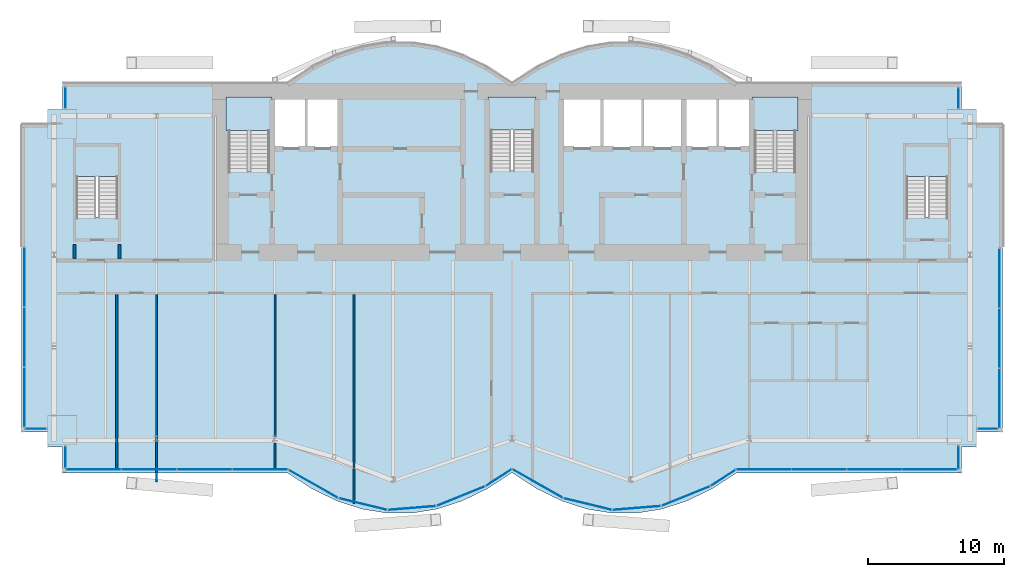
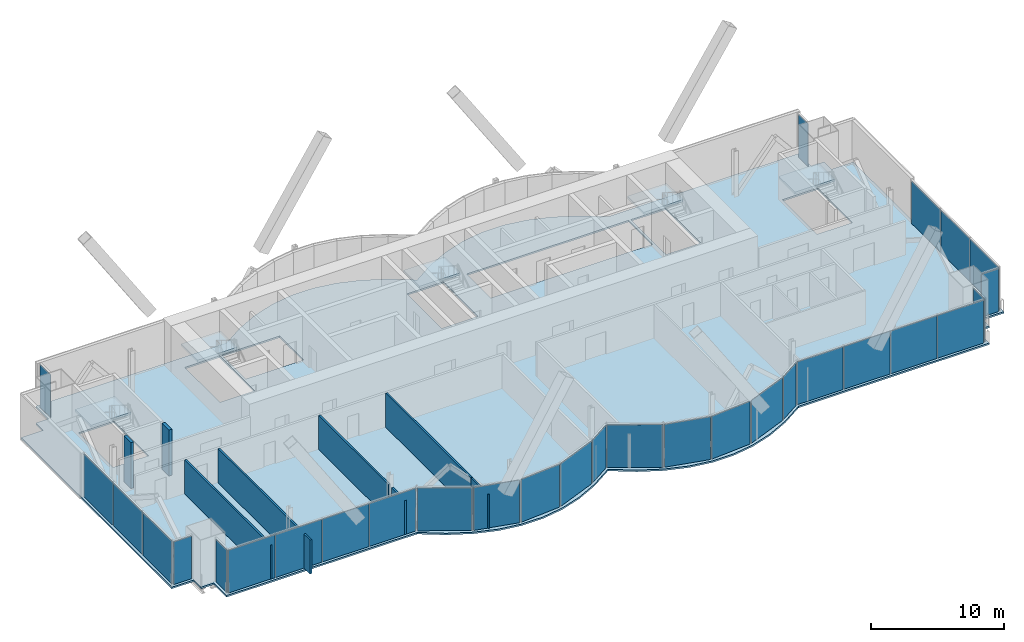
# One storey, part 12 of 19: 30 plates, 8 walls, 6 slabs, 17 elements without a shape of their own.
"""IFC4 building model written with IfcOpenShell, lengths in metres."""

from ifc_helpers import new_model, si_unit, direction, frame, frame_2d, origin, origin_2d, place, context, subcontext, project, spatial, polyline, rectangle, outline, extrude, material, layer, layer_set, type_object, element, aggregate, save


model = new_model("IFC4")

# Units and contexts
model_context = context("Model", 3, precision=1e-05, world=origin(), true_north=direction((0.0, 1.0)))
body_context = subcontext(model_context, "Body", "Model", "MODEL_VIEW")
ifc_project = project(units=[si_unit("LENGTHUNIT", "METRE"), si_unit("AREAUNIT", "SQUARE_METRE"), si_unit("VOLUMEUNIT", "CUBIC_METRE"), si_unit("PLANEANGLEUNIT", "RADIAN"), si_unit("MASSUNIT", "GRAM", prefix="KILO")], contexts=[model_context])

# Site, building, storey
site_placement = place(None, origin())
site = spatial("IfcSite", under=ifc_project, at=site_placement, CompositionType="ELEMENT")
building_placement = place(site_placement, origin())
building = spatial("IfcBuilding", under=site, at=building_placement, Name="Bicima Exchange Tower", CompositionType="ELEMENT")
storey_placement = place(building_placement, frame((0.0, 0.0, 270.800048828125)))
storey = spatial("IfcBuildingStorey", under=building, at=storey_placement, Name="L61", CompositionType="ELEMENT", Elevation=270.800048828125)

# Slab
ifc_material_1 = material(Name="Concrete C40/50", Category="concrete")
ifc_layer_1 = layer(ifc_material_1, 0.14990234375)
ifc_layer_set_1 = layer_set([ifc_layer_1], Name="Concrete C40/50")
slab_type_1 = type_object("IfcSlabType", Name="Composite floor slab 150", PredefinedType="FLOOR", material=ifc_layer_set_1)
slab_1_placement = place(storey_placement, frame((0.0, 0.0, -0.150146484375)))
element("IfcSlab", 1, at=slab_1_placement, inside=storey, type_object=slab_type_1, Name="Floor slab", PredefinedType="FLOOR", context=body_context, shape_type="SweptSolid", body=[
    extrude(outline(polyline([(-36.0, -25.580078125), (-36.0, -3.0), (-34.10009765625, -3.0), (-34.10009765625, -1.89990234375), (-33.0, -1.89990234375), (-33.0, 0.0), (-16.5, 0.0), (-14.666748046875, 1.185302734375), (-12.833251953125, 2.07421875), (-11.0, 2.666748046875), (-9.166748046875, 2.962890625), (-7.333251953125, 2.962890625), (-5.5, 2.666748046875), (-3.666748046875, 2.07421875), (-1.833251953125, 1.185302734375), (0.0, 0.0), (1.833251953125, 1.185302734375), (3.666748046875, 2.07421875), (5.5, 2.666748046875), (7.333251953125, 2.962890625), (9.166748046875, 2.962890625), (11.0, 2.666748046875), (12.833251953125, 2.07421875), (14.666748046875, 1.185302734375), (16.5, 0.0), (33.0, 0.0), (33.0, -1.89990234375), (34.10009765625, -1.89990234375), (34.10009765625, -3.0), (36.0, -3.0), (36.0, -25.580078125), (34.10009765625, -25.580078125), (34.10009765625, -26.679931640625), (33.0, -26.679931640625), (33.0, -28.580078125), (16.5, -28.580078125), (14.666748046875, -29.76513671875), (12.833251953125, -30.654052734375), (11.0, -31.24658203125), (9.166748046875, -31.54296875), (7.333251953125, -31.54296875), (5.5, -31.24658203125), (3.666748046875, -30.654052734375), (1.833251953125, -29.76513671875), (0.0, -28.580078125), (-1.833251953125, -29.76513671875), (-3.666748046875, -30.654052734375), (-5.5, -31.24658203125), (-7.333251953125, -31.54296875), (-9.166748046875, -31.54296875), (-11.0, -31.24658203125), (-12.833251953125, -30.654052734375), (-14.666748046875, -29.76513671875), (-16.5, -28.580078125), (-33.0, -28.580078125), (-33.0, -26.679931640625), (-34.10009765625, -26.679931640625), (-34.10009765625, -25.580078125), (-36.0, -25.580078125)]), holes=[polyline([(-28.925048828125, -9.824951171875), (-28.925048828125, -4.625), (-31.97509765625, -4.625), (-31.97509765625, -9.824951171875), (-28.925048828125, -9.824951171875)]), polyline([(-20.800048828125, -6.449951171875), (-17.800048828125, -6.449951171875), (-17.800048828125, -1.199951171875), (-20.800048828125, -1.199951171875), (-20.800048828125, -6.449951171875)]), polyline([(-1.574951171875, -6.39990234375), (1.574951171875, -6.39990234375), (1.574951171875, -1.199951171875), (-1.574951171875, -1.199951171875), (-1.574951171875, -6.39990234375)]), polyline([(-12.60009765625, -1.199951171875), (-15.10009765625, -1.199951171875), (-17.60009765625, -1.199951171875), (-17.60009765625, -4.800048828125), (-15.10009765625, -4.800048828125), (-12.60009765625, -4.800048828125), (-12.60009765625, -1.199951171875)]), polyline([(3.60009765625, -4.800048828125), (6.60009765625, -4.800048828125), (9.60009765625, -4.800048828125), (12.60009765625, -4.800048828125), (15.10009765625, -4.800048828125), (17.60009765625, -4.800048828125), (17.60009765625, -1.199951171875), (15.10009765625, -1.199951171875), (12.60009765625, -1.199951171875), (9.60009765625, -1.199951171875), (6.60009765625, -1.199951171875), (3.60009765625, -1.199951171875), (3.60009765625, -4.800048828125)]), polyline([(31.97509765625, -9.824951171875), (31.97509765625, -4.625), (28.925048828125, -4.625), (28.925048828125, -9.824951171875), (31.97509765625, -9.824951171875)]), polyline([(17.800048828125, -6.449951171875), (20.800048828125, -6.449951171875), (20.800048828125, -1.199951171875), (17.800048828125, -1.199951171875), (17.800048828125, -6.449951171875)])]), origin(), (0.0, 0.0, 1.0), 0.150146484375),
])

# Curtain wall, plate
ifc_material_2 = material(Name="Anodised bronze aluminium", Category="aluminium")
curtain_wall_type_1 = type_object("IfcCurtainWallType", Name="End face glass wall", PredefinedType="NOTDEFINED", material=ifc_material_2)
curtain_wall_1_placement = place(storey_placement, origin())
curtain_wall_1 = element("IfcCurtainWall", 2, at=curtain_wall_1_placement, inside=storey, type_object=curtain_wall_type_1, Name="End face glass wall L61 run 2", PredefinedType="NOTDEFINED")
ifc_material_3 = material(Name="Bronze tinted glass", Category="glass")
ifc_layer_2 = layer(ifc_material_3, 0.031982421875)
ifc_layer_set_2 = layer_set([ifc_layer_2], Name="Bronze tinted glass")
plate_type_1 = type_object("IfcPlateType", Name="End face glass wall glass panel 32", PredefinedType="CURTAIN_PANEL", material=ifc_layer_set_2)
plate_1_placement = place(storey_placement, frame((-35.77001953125, -23.038330078125, 0.0), z_axis=(0.0, 0.0, 1.0), x_axis=(0.0, -1.0, 0.0)))
plate_1 = element("IfcPlate", 3, at=plate_1_placement, type_object=plate_type_1, Name="End face glass wall panel 3.1", PredefinedType="CURTAIN_PANEL", context=body_context, shape_type="SweptSolid", body=[
    extrude(rectangle(XDim=4.34326171875, YDim=0.031982421875, at=origin_2d()), origin(), (0.0, 0.0, 1.0), 3.909912109375),
])

curtain_wall_2_placement = place(storey_placement, origin())
curtain_wall_2 = element("IfcCurtainWall", 4, at=curtain_wall_2_placement, inside=storey, type_object=curtain_wall_type_1, Name="End face glass wall L61 run 19", PredefinedType="NOTDEFINED")
plate_2_placement = place(storey_placement, frame((35.77001953125, -23.118408203125, 0.0), z_axis=(0.0, 0.0, 1.0), x_axis=(0.0, 1.0, 0.0)))
plate_2 = element("IfcPlate", 5, at=plate_2_placement, type_object=plate_type_1, Name="End face glass wall panel 1.1", PredefinedType="CURTAIN_PANEL", context=body_context, shape_type="SweptSolid", body=[
    extrude(rectangle(XDim=4.34326171875, YDim=0.031982421875, at=origin_2d()), origin(), (0.0, 0.0, 1.0), 3.909912109375),
])

# Plate
ifc_material_4 = material(Name="Bronze anodised aluminium", Category="aluminium")
ifc_layer_3 = layer(ifc_material_4, 0.031982421875)
ifc_layer_set_3 = layer_set([ifc_layer_3], Name="Bronze anodised aluminium")
plate_type_2 = type_object("IfcPlateType", Name="End face glass wall spandrel panel 32", PredefinedType="CURTAIN_PANEL", material=ifc_layer_set_3)
plate_3_placement = place(storey_placement, frame((-35.77001953125, -14.231689453125, 0.0), z_axis=(0.0, 0.0, 1.0), x_axis=(0.0, -1.0, 0.0)))
plate_3 = element("IfcPlate", 6, at=plate_3_placement, type_object=plate_type_2, Name="End face spandrel wall panel 1.1", PredefinedType="CURTAIN_PANEL", context=body_context, shape_type="SweptSolid", body=[
    extrude(rectangle(XDim=4.34326171875, YDim=0.031982421875, at=origin_2d()), origin(), (0.0, 0.0, 1.0), 3.909912109375),
])

plate_4_placement = place(storey_placement, frame((-35.77001953125, -18.635009765625, 0.0), z_axis=(0.0, 0.0, 1.0), x_axis=(0.0, -1.0, 0.0)))
plate_4 = element("IfcPlate", 7, at=plate_4_placement, type_object=plate_type_2, Name="End face spandrel wall panel 2.1", PredefinedType="CURTAIN_PANEL", context=body_context, shape_type="SweptSolid", body=[
    extrude(rectangle(XDim=4.34326171875, YDim=0.031982421875, at=origin_2d()), origin(), (0.0, 0.0, 1.0), 3.909912109375),
])

aggregate(curtain_wall_1, [plate_3, plate_4, plate_1])

plate_5_placement = place(storey_placement, frame((35.77001953125, -18.715087890625, 0.0), z_axis=(0.0, 0.0, 1.0), x_axis=(0.0, 1.0, 0.0)))
plate_5 = element("IfcPlate", 8, at=plate_5_placement, type_object=plate_type_2, Name="End face spandrel wall panel 2.1", PredefinedType="CURTAIN_PANEL", context=body_context, shape_type="SweptSolid", body=[
    extrude(rectangle(XDim=4.34326171875, YDim=0.031982421875, at=origin_2d()), origin(), (0.0, 0.0, 1.0), 3.909912109375),
])

plate_6_placement = place(storey_placement, frame((35.77001953125, -14.311767578125, 0.0), z_axis=(0.0, 0.0, 1.0), x_axis=(0.0, 1.0, 0.0)))
plate_6 = element("IfcPlate", 9, at=plate_6_placement, type_object=plate_type_2, Name="End face spandrel wall panel 3.1", PredefinedType="CURTAIN_PANEL", context=body_context, shape_type="SweptSolid", body=[
    extrude(rectangle(XDim=4.34326171875, YDim=0.031982421875, at=origin_2d()), origin(), (0.0, 0.0, 1.0), 3.909912109375),
])

aggregate(curtain_wall_2, [plate_2, plate_5, plate_6])

# Curtain wall, plate
curtain_wall_type_2 = type_object("IfcCurtainWallType", Name="Front glass wall", PredefinedType="NOTDEFINED", material=ifc_material_2)
curtain_wall_3_placement = place(storey_placement, origin())
curtain_wall_3 = element("IfcCurtainWall", 10, at=curtain_wall_3_placement, inside=storey, type_object=curtain_wall_type_2, Name="Front glass wall L61 run 1", PredefinedType="NOTDEFINED")
ifc_layer_4 = layer(ifc_material_3, 0.031982421875)
ifc_layer_set_4 = layer_set([ifc_layer_4], Name="Bronze tinted glass")
plate_type_3 = type_object("IfcPlateType", Name="Front glass wall glass panel 32", PredefinedType="CURTAIN_PANEL", material=ifc_layer_set_4)
plate_7_placement = place(storey_placement, frame((-32.77001953125, -1.06494140625, 0.0), z_axis=(0.0, 0.0, 1.0), x_axis=(0.0, -1.0, 0.0)))
plate_7 = element("IfcPlate", 11, at=plate_7_placement, type_object=plate_type_3, Name="Front glass wall panel 1.1", PredefinedType="CURTAIN_PANEL", context=body_context, shape_type="SweptSolid", body=[
    extrude(rectangle(XDim=1.550048828125, YDim=0.031982421875, at=origin_2d()), origin(), (0.0, 0.0, 1.0), 3.909912109375),
])
aggregate(curtain_wall_3, [plate_7])

curtain_wall_4_placement = place(storey_placement, origin())
curtain_wall_4 = element("IfcCurtainWall", 12, at=curtain_wall_4_placement, inside=storey, type_object=curtain_wall_type_2, Name="Front glass wall L61 run 3", PredefinedType="NOTDEFINED")
plate_8_placement = place(storey_placement, frame((-34.93505859375, -25.35009765625, 0.0), z_axis=(0.0, 0.0, 1.0), x_axis=(1.0, 0.0, 0.0)))
plate_8 = element("IfcPlate", 13, at=plate_8_placement, type_object=plate_type_3, Name="Front glass wall panel 1.1", PredefinedType="CURTAIN_PANEL", context=body_context, shape_type="SweptSolid", body=[
    extrude(rectangle(XDim=1.550048828125, YDim=0.031982421875, at=origin_2d()), origin(), (0.0, 0.0, 1.0), 3.909912109375),
])
aggregate(curtain_wall_4, [plate_8])

curtain_wall_5_placement = place(storey_placement, origin())
curtain_wall_5 = element("IfcCurtainWall", 14, at=curtain_wall_5_placement, inside=storey, type_object=curtain_wall_type_2, Name="Front glass wall L61 run 4", PredefinedType="NOTDEFINED")
plate_9_placement = place(storey_placement, frame((-32.77001953125, -27.4140625, 0.0), z_axis=(0.0, 0.0, 1.0), x_axis=(0.0, -1.0, 0.0)))
plate_9 = element("IfcPlate", 15, at=plate_9_placement, type_object=plate_type_3, Name="Front glass wall panel 1.1", PredefinedType="CURTAIN_PANEL", context=body_context, shape_type="SweptSolid", body=[
    extrude(rectangle(XDim=1.592041015625, YDim=0.031982421875, at=origin_2d()), origin(), (0.0, 0.0, 1.0), 3.909912109375),
])
aggregate(curtain_wall_5, [plate_9])

# Curtain wall, plates
curtain_wall_6_placement = place(storey_placement, origin())
curtain_wall_6 = element("IfcCurtainWall", 16, at=curtain_wall_6_placement, inside=storey, type_object=curtain_wall_type_2, Name="Front glass wall L61 run 5", PredefinedType="NOTDEFINED")
plate_10_placement = place(storey_placement, frame((-30.705322265625, -28.35009765625, 0.0), z_axis=(0.0, 0.0, 1.0), x_axis=(1.0, 0.0, 0.0)))
plate_10 = element("IfcPlate", 17, at=plate_10_placement, type_object=plate_type_3, Name="Front glass wall panel 1.1", PredefinedType="CURTAIN_PANEL", context=body_context, shape_type="SweptSolid", body=[
    extrude(rectangle(XDim=4.009521484375, YDim=0.031982421875, at=origin_2d()), origin(), (0.0, 0.0, 1.0), 3.909912109375),
])
plate_11_placement = place(storey_placement, frame((-26.6357421875, -28.35009765625, 0.0), z_axis=(0.0, 0.0, 1.0), x_axis=(1.0, 0.0, 0.0)))
plate_11 = element("IfcPlate", 18, at=plate_11_placement, type_object=plate_type_3, Name="Front glass wall panel 2.1", PredefinedType="CURTAIN_PANEL", context=body_context, shape_type="SweptSolid", body=[
    extrude(rectangle(XDim=4.009521484375, YDim=0.031982421875, at=origin_2d()), origin(), (0.0, 0.0, 1.0), 3.909912109375),
])
plate_12_placement = place(storey_placement, frame((-18.496826171875, -28.35009765625, 0.0), z_axis=(0.0, 0.0, 1.0), x_axis=(1.0, 0.0, 0.0)))
plate_12 = element("IfcPlate", 19, at=plate_12_placement, type_object=plate_type_3, Name="Front glass wall panel 4.1", PredefinedType="CURTAIN_PANEL", context=body_context, shape_type="SweptSolid", body=[
    extrude(rectangle(XDim=4.009521484375, YDim=0.031982421875, at=origin_2d()), origin(), (0.0, 0.0, 1.0), 3.909912109375),
])

curtain_wall_7_placement = place(storey_placement, origin())
curtain_wall_7 = element("IfcCurtainWall", 20, at=curtain_wall_7_placement, inside=storey, type_object=curtain_wall_type_2, Name="Front glass wall L61 run 6", PredefinedType="NOTDEFINED")
plate_13_placement = place(storey_placement, frame((-7.35107421875, -31.167724609375, 0.0), z_axis=(0.0, 0.0, 1.0), x_axis=(0.99674744821, 0.080588612633, 0.0)))
plate_13 = element("IfcPlate", 21, at=plate_13_placement, type_object=plate_type_3, Name="Front glass wall panel 1.1", PredefinedType="CURTAIN_PANEL", context=body_context, shape_type="SweptSolid", body=[
    extrude(rectangle(XDim=3.486083984375, YDim=0.031982421875, at=origin_2d()), origin(), (0.0, 0.0, 1.0), 3.909912109375),
])
plate_14_placement = place(storey_placement, frame((-3.750244140625, -30.29345703125, 0.0), z_axis=(0.0, 0.0, 1.0), x_axis=(0.92714396679, 0.374705304, 0.0)))
plate_14 = element("IfcPlate", 22, at=plate_14_placement, type_object=plate_type_3, Name="Front glass wall panel 1.1", PredefinedType="CURTAIN_PANEL", context=body_context, shape_type="SweptSolid", body=[
    extrude(rectangle(XDim=3.771240234375, YDim=0.031982421875, at=origin_2d()), origin(), (0.0, 0.0, 1.0), 3.909912109375),
])
plate_15_placement = place(storey_placement, frame((-0.97314453125, -28.935302734375, 0.0), z_axis=(0.0, 0.0, 1.0), x_axis=(0.839798994301, 0.542897457326, 0.0)))
plate_15 = element("IfcPlate", 23, at=plate_15_placement, type_object=plate_type_3, Name="Front glass wall panel 1.1", PredefinedType="CURTAIN_PANEL", context=body_context, shape_type="SweptSolid", body=[
    extrude(rectangle(XDim=2.197509765625, YDim=0.031982421875, at=origin_2d()), origin(), (0.0, 0.0, 1.0), 3.909912109375),
])

curtain_wall_8_placement = place(storey_placement, origin())
curtain_wall_8 = element("IfcCurtainWall", 24, at=curtain_wall_8_placement, inside=storey, type_object=curtain_wall_type_2, Name="Front glass wall L61 run 11", PredefinedType="NOTDEFINED")
plate_16_placement = place(storey_placement, frame((1.876220703125, -29.373291015625, 0.0), z_axis=(0.0, 0.0, 1.0), x_axis=(0.869274147378, -0.494330311331, 0.0)))
plate_16 = element("IfcPlate", 25, at=plate_16_placement, type_object=plate_type_3, Name="Front glass wall panel 1.1", PredefinedType="CURTAIN_PANEL", context=body_context, shape_type="SweptSolid", body=[
    extrude(rectangle(XDim=4.197021484375, YDim=0.031982421875, at=origin_2d()), origin(), (0.0, 0.0, 1.0), 3.909912109375),
])
plate_17_placement = place(storey_placement, frame((5.55224609375, -30.876708984375, 0.0), z_axis=(0.0, 0.0, 1.0), x_axis=(0.971830343553, -0.235681529503, 0.0)))
plate_17 = element("IfcPlate", 26, at=plate_17_placement, type_object=plate_type_3, Name="Front glass wall panel 1.1", PredefinedType="CURTAIN_PANEL", context=body_context, shape_type="SweptSolid", body=[
    extrude(rectangle(XDim=3.583251953125, YDim=0.031982421875, at=origin_2d()), origin(), (0.0, 0.0, 1.0), 3.909912109375),
])
plate_18_placement = place(storey_placement, frame((9.14892578125, -31.167724609375, 0.0), z_axis=(0.0, 0.0, 1.0), x_axis=(0.99674744821, 0.080588612633, 0.0)))
plate_18 = element("IfcPlate", 27, at=plate_18_placement, type_object=plate_type_3, Name="Front glass wall panel 1.1", PredefinedType="CURTAIN_PANEL", context=body_context, shape_type="SweptSolid", body=[
    extrude(rectangle(XDim=3.486083984375, YDim=0.031982421875, at=origin_2d()), origin(), (0.0, 0.0, 1.0), 3.909912109375),
])
plate_19_placement = place(storey_placement, frame((15.492919921875, -28.957275390625, 0.0), z_axis=(0.0, 0.0, 1.0), x_axis=(0.839791413941, 0.542909183079, 0.0)))
plate_19 = element("IfcPlate", 28, at=plate_19_placement, type_object=plate_type_3, Name="Front glass wall panel 1.1", PredefinedType="CURTAIN_PANEL", context=body_context, shape_type="SweptSolid", body=[
    extrude(rectangle(XDim=2.11669921875, YDim=0.031982421875, at=origin_2d()), origin(), (0.0, 0.0, 1.0), 3.909912109375),
])

curtain_wall_9_placement = place(storey_placement, origin())
curtain_wall_9 = element("IfcCurtainWall", 29, at=curtain_wall_9_placement, inside=storey, type_object=curtain_wall_type_2, Name="Front glass wall L61 run 16", PredefinedType="NOTDEFINED")
plate_20_placement = place(storey_placement, frame((18.48681640625, -28.35009765625, 0.0), z_axis=(0.0, 0.0, 1.0), x_axis=(1.0, 0.0, 0.0)))
plate_20 = element("IfcPlate", 30, at=plate_20_placement, type_object=plate_type_3, Name="Front glass wall panel 1.1", PredefinedType="CURTAIN_PANEL", context=body_context, shape_type="SweptSolid", body=[
    extrude(rectangle(XDim=3.989501953125, YDim=0.031982421875, at=origin_2d()), origin(), (0.0, 0.0, 1.0), 3.909912109375),
])
plate_21_placement = place(storey_placement, frame((26.585693359375, -28.35009765625, 0.0), z_axis=(0.0, 0.0, 1.0), x_axis=(1.0, 0.0, 0.0)))
plate_21 = element("IfcPlate", 31, at=plate_21_placement, type_object=plate_type_3, Name="Front glass wall panel 3.1", PredefinedType="CURTAIN_PANEL", context=body_context, shape_type="SweptSolid", body=[
    extrude(rectangle(XDim=3.989501953125, YDim=0.031982421875, at=origin_2d()), origin(), (0.0, 0.0, 1.0), 3.909912109375),
])
plate_22_placement = place(storey_placement, frame((30.63525390625, -28.35009765625, 0.0), z_axis=(0.0, 0.0, 1.0), x_axis=(1.0, 0.0, 0.0)))
plate_22 = element("IfcPlate", 32, at=plate_22_placement, type_object=plate_type_3, Name="Front glass wall panel 4.1", PredefinedType="CURTAIN_PANEL", context=body_context, shape_type="SweptSolid", body=[
    extrude(rectangle(XDim=3.989501953125, YDim=0.031982421875, at=origin_2d()), origin(), (0.0, 0.0, 1.0), 3.909912109375),
])

# Curtain wall, plate
curtain_wall_10_placement = place(storey_placement, origin())
curtain_wall_10 = element("IfcCurtainWall", 33, at=curtain_wall_10_placement, inside=storey, type_object=curtain_wall_type_2, Name="Front glass wall L61 run 17", PredefinedType="NOTDEFINED")
plate_23_placement = place(storey_placement, frame((32.77001953125, -27.4541015625, 0.0), z_axis=(0.0, 0.0, 1.0), x_axis=(0.0, 1.0, 0.0)))
plate_23 = element("IfcPlate", 34, at=plate_23_placement, type_object=plate_type_3, Name="Front glass wall panel 1.1", PredefinedType="CURTAIN_PANEL", context=body_context, shape_type="SweptSolid", body=[
    extrude(rectangle(XDim=1.672119140625, YDim=0.031982421875, at=origin_2d()), origin(), (0.0, 0.0, 1.0), 3.909912109375),
])
aggregate(curtain_wall_10, [plate_23])

curtain_wall_11_placement = place(storey_placement, origin())
curtain_wall_11 = element("IfcCurtainWall", 35, at=curtain_wall_11_placement, inside=storey, type_object=curtain_wall_type_2, Name="Front glass wall L61 run 18", PredefinedType="NOTDEFINED")
plate_24_placement = place(storey_placement, frame((34.89501953125, -25.35009765625, 0.0), z_axis=(0.0, 0.0, 1.0), x_axis=(1.0, 0.0, 0.0)))
plate_24 = element("IfcPlate", 36, at=plate_24_placement, type_object=plate_type_3, Name="Front glass wall panel 1.1", PredefinedType="CURTAIN_PANEL", context=body_context, shape_type="SweptSolid", body=[
    extrude(rectangle(XDim=1.469970703125, YDim=0.031982421875, at=origin_2d()), origin(), (0.0, 0.0, 1.0), 3.909912109375),
])
aggregate(curtain_wall_11, [plate_24])

curtain_wall_12_placement = place(storey_placement, origin())
curtain_wall_12 = element("IfcCurtainWall", 37, at=curtain_wall_12_placement, inside=storey, type_object=curtain_wall_type_2, Name="Front glass wall L61 run 20", PredefinedType="NOTDEFINED")
plate_25_placement = place(storey_placement, frame((32.77001953125, -1.10498046875, 0.0), z_axis=(0.0, 0.0, 1.0), x_axis=(0.0, 1.0, 0.0)))
plate_25 = element("IfcPlate", 38, at=plate_25_placement, type_object=plate_type_3, Name="Front glass wall panel 1.1", PredefinedType="CURTAIN_PANEL", context=body_context, shape_type="SweptSolid", body=[
    extrude(rectangle(XDim=1.469970703125, YDim=0.031982421875, at=origin_2d()), origin(), (0.0, 0.0, 1.0), 3.909912109375),
])
aggregate(curtain_wall_12, [plate_25])

# Plate
ifc_layer_5 = layer(ifc_material_4, 0.031982421875)
ifc_layer_set_5 = layer_set([ifc_layer_5], Name="Bronze anodised aluminium")
plate_type_4 = type_object("IfcPlateType", Name="Front glass wall spandrel panel 32", PredefinedType="CURTAIN_PANEL", material=ifc_layer_set_5)
plate_26_placement = place(storey_placement, frame((-22.56640625, -28.35009765625, 0.0), z_axis=(0.0, 0.0, 1.0), x_axis=(1.0, 0.0, 0.0)))
plate_26 = element("IfcPlate", 39, at=plate_26_placement, type_object=plate_type_4, Name="Front spandrel wall panel 3.1", PredefinedType="CURTAIN_PANEL", context=body_context, shape_type="SweptSolid", body=[
    extrude(rectangle(XDim=4.009521484375, YDim=0.031982421875, at=origin_2d()), origin(), (0.0, 0.0, 1.0), 3.909912109375),
])

aggregate(curtain_wall_6, [plate_10, plate_11, plate_26, plate_12])

plate_27_placement = place(storey_placement, frame((-14.589599609375, -29.39501953125, 0.0), z_axis=(0.0, 0.0, 1.0), x_axis=(0.869805110681, -0.493395449343, 0.0)))
plate_27 = element("IfcPlate", 40, at=plate_27_placement, type_object=plate_type_4, Name="Front spandrel wall panel 1.1", PredefinedType="CURTAIN_PANEL", context=body_context, shape_type="SweptSolid", body=[
    extrude(rectangle(XDim=4.1162109375, YDim=0.031982421875, at=origin_2d()), origin(), (0.0, 0.0, 1.0), 3.909912109375),
])

plate_28_placement = place(storey_placement, frame((-10.94775390625, -30.876708984375, 0.0), z_axis=(0.0, 0.0, 1.0), x_axis=(0.971830343553, -0.235681529503, 0.0)))
plate_28 = element("IfcPlate", 41, at=plate_28_placement, type_object=plate_type_4, Name="Front spandrel wall panel 1.1", PredefinedType="CURTAIN_PANEL", context=body_context, shape_type="SweptSolid", body=[
    extrude(rectangle(XDim=3.583251953125, YDim=0.031982421875, at=origin_2d()), origin(), (0.0, 0.0, 1.0), 3.909912109375),
])

aggregate(curtain_wall_7, [plate_27, plate_28, plate_13, plate_14, plate_15])

plate_29_placement = place(storey_placement, frame((12.749755859375, -30.29345703125, 0.0), z_axis=(0.0, 0.0, 1.0), x_axis=(0.92714396679, 0.374705304, 0.0)))
plate_29 = element("IfcPlate", 42, at=plate_29_placement, type_object=plate_type_4, Name="Front spandrel wall panel 1.1", PredefinedType="CURTAIN_PANEL", context=body_context, shape_type="SweptSolid", body=[
    extrude(rectangle(XDim=3.771240234375, YDim=0.031982421875, at=origin_2d()), origin(), (0.0, 0.0, 1.0), 3.909912109375),
])

aggregate(curtain_wall_8, [plate_16, plate_17, plate_18, plate_29, plate_19])

plate_30_placement = place(storey_placement, frame((22.536376953125, -28.35009765625, 0.0), z_axis=(0.0, 0.0, 1.0), x_axis=(1.0, 0.0, 0.0)))
plate_30 = element("IfcPlate", 43, at=plate_30_placement, type_object=plate_type_4, Name="Front spandrel wall panel 2.1", PredefinedType="CURTAIN_PANEL", context=body_context, shape_type="SweptSolid", body=[
    extrude(rectangle(XDim=3.989501953125, YDim=0.031982421875, at=origin_2d()), origin(), (0.0, 0.0, 1.0), 3.909912109375),
])

aggregate(curtain_wall_9, [plate_20, plate_30, plate_21, plate_22])

# Stair, slab
ifc_material_5 = material(Name="Concrete C50/60", Category="concrete")
stair_type_1 = type_object("IfcStairType", Name="Exit stair", PredefinedType="HALF_TURN_STAIR", material=ifc_material_5)
stair_1_placement = place(storey_placement, origin())
stair_1 = element("IfcStair", 44, at=stair_1_placement, inside=storey, type_object=stair_type_1, Name="L61 West exit stair", PredefinedType="HALF_TURN_STAIR")
ifc_layer_6 = layer(ifc_material_5, 0.199951171875)
ifc_layer_set_6 = layer_set([ifc_layer_6], Name="Concrete C50/60")
slab_type_2 = type_object("IfcSlabType", Name="Stair landing slab", PredefinedType="LANDING", material=ifc_layer_set_6)
slab_2_placement = place(storey_placement, frame((0.0, 0.0, 1.89990234375)))
slab_2 = element("IfcSlab", 45, at=slab_2_placement, type_object=slab_type_2, Name="ST-W landing 1", PredefinedType="LANDING", context=body_context, shape_type="SweptSolid", body=[
    extrude(outline(polyline([(-17.60009765625, -3.469970703125), (-17.60009765625, -1.0), (-21.0, -1.0), (-21.0, -3.469970703125), (-17.60009765625, -3.469970703125)])), origin(), (0.0, 0.0, 1.0), 0.199951171875),
])
aggregate(stair_1, [slab_2])

stair_type_2 = type_object("IfcStairType", Name="Exit stair 1500", PredefinedType="HALF_TURN_STAIR", material=ifc_material_5)
stair_2_placement = place(storey_placement, origin())
stair_2 = element("IfcStair", 46, at=stair_2_placement, inside=storey, type_object=stair_type_2, Name="L61 Central exit stair", PredefinedType="HALF_TURN_STAIR")
slab_3_placement = place(storey_placement, frame((0.0, 0.0, 1.89990234375)))
slab_3 = element("IfcSlab", 47, at=slab_3_placement, type_object=slab_type_2, Name="ST-C landing 1", PredefinedType="LANDING", context=body_context, shape_type="SweptSolid", body=[
    extrude(outline(polyline([(1.77490234375, -3.419921875), (1.77490234375, -1.0), (-1.77490234375, -1.0), (-1.77490234375, -3.419921875), (1.77490234375, -3.419921875)])), origin(), (0.0, 0.0, 1.0), 0.199951171875),
])
aggregate(stair_2, [slab_3])

stair_3_placement = place(storey_placement, origin())
stair_3 = element("IfcStair", 48, at=stair_3_placement, inside=storey, type_object=stair_type_1, Name="L61 East exit stair", PredefinedType="HALF_TURN_STAIR")
slab_4_placement = place(storey_placement, frame((0.0, 0.0, 1.89990234375)))
slab_4 = element("IfcSlab", 49, at=slab_4_placement, type_object=slab_type_2, Name="ST-E landing 1", PredefinedType="LANDING", context=body_context, shape_type="SweptSolid", body=[
    extrude(outline(polyline([(21.0, -3.469970703125), (21.0, -1.0), (17.60009765625, -1.0), (17.60009765625, -3.469970703125), (21.0, -3.469970703125)])), origin(), (0.0, 0.0, 1.0), 0.199951171875),
])
aggregate(stair_3, [slab_4])

stair_4_placement = place(storey_placement, origin())
stair_4 = element("IfcStair", 50, at=stair_4_placement, inside=storey, type_object=stair_type_1, Name="L61 West end exit stair", PredefinedType="HALF_TURN_STAIR")
slab_5_placement = place(storey_placement, frame((0.0, 0.0, 1.89990234375)))
slab_5 = element("IfcSlab", 51, at=slab_5_placement, type_object=slab_type_2, Name="ST-WW landing 1", PredefinedType="LANDING", context=body_context, shape_type="SweptSolid", body=[
    extrude(outline(polyline([(-28.72509765625, -6.844970703125), (-28.72509765625, -4.425048828125), (-32.175048828125, -4.425048828125), (-32.175048828125, -6.844970703125), (-28.72509765625, -6.844970703125)])), origin(), (0.0, 0.0, 1.0), 0.199951171875),
])
aggregate(stair_4, [slab_5])

stair_5_placement = place(storey_placement, origin())
stair_5 = element("IfcStair", 52, at=stair_5_placement, inside=storey, type_object=stair_type_1, Name="L61 East end exit stair", PredefinedType="HALF_TURN_STAIR")
slab_6_placement = place(storey_placement, frame((0.0, 0.0, 1.89990234375)))
slab_6 = element("IfcSlab", 53, at=slab_6_placement, type_object=slab_type_2, Name="ST-EE landing 1", PredefinedType="LANDING", context=body_context, shape_type="SweptSolid", body=[
    extrude(outline(polyline([(32.175048828125, -6.844970703125), (32.175048828125, -4.425048828125), (28.72509765625, -4.425048828125), (28.72509765625, -6.844970703125), (32.175048828125, -6.844970703125)])), origin(), (0.0, 0.0, 1.0), 0.199951171875),
])
aggregate(stair_5, [slab_6])

# Walls
ifc_material_6 = material(Name="Gypsum board partition")
ifc_layer_7 = layer(ifc_material_6, 0.14990234375)
ifc_layer_set_7 = layer_set([ifc_layer_7], Name="Gypsum board partition")
wall_type_1 = type_object("IfcWallType", Name="Gypsum partition 150", PredefinedType="PARTITIONING", material=ifc_layer_set_7)
wall_1_placement = place(storey_placement, frame((-29.0, -28.3701171875, 0.0), z_axis=(0.0, 0.0, 1.0), x_axis=(0.0, 1.0, 0.0)))
element("IfcWall", 54, at=wall_1_placement, inside=storey, type_object=wall_type_1, Name="partition wall 12", PredefinedType="PARTITIONING", context=body_context, shape_type="SweptSolid", body=[
    extrude(rectangle(XDim=12.8701171875, YDim=0.14990234375, at=frame_2d((6.43505859375, 0.0))), origin(), (0.0, 0.0, 1.0), 3.1181640625),
])
wall_2_placement = place(storey_placement, frame((-26.10009765625, -29.27392578125, 0.0), z_axis=(0.0, 0.0, 1.0), x_axis=(0.0, 1.0, 0.0)))
element("IfcWall", 55, at=wall_2_placement, inside=storey, type_object=wall_type_1, Name="partition wall 14", PredefinedType="PARTITIONING", context=body_context, shape_type="SweptSolid", body=[
    extrude(rectangle(XDim=13.77392578125, YDim=0.14990234375, at=frame_2d((6.886962890625, 0.0))), origin(), (0.0, 0.0, 1.0), 3.1181640625),
])
wall_3_placement = place(storey_placement, frame((-17.39990234375, -28.3701171875, 0.0), z_axis=(0.0, 0.0, 1.0), x_axis=(0.0, 1.0, 0.0)))
element("IfcWall", 56, at=wall_3_placement, inside=storey, type_object=wall_type_1, Name="partition wall 15", PredefinedType="PARTITIONING", context=body_context, shape_type="SweptSolid", body=[
    extrude(rectangle(XDim=1.952880859375, YDim=0.14990234375, at=frame_2d((0.9765625, 0.0))), origin(), (0.0, 0.0, 1.0), 3.1181640625),
])
wall_4_placement = place(storey_placement, frame((-17.39990234375, -25.942626953125, 0.0), z_axis=(0.0, 0.0, 1.0), x_axis=(0.0, 1.0, 0.0)))
element("IfcWall", 57, at=wall_4_placement, inside=storey, type_object=wall_type_1, Name="partition wall 16", PredefinedType="PARTITIONING", context=body_context, shape_type="SweptSolid", body=[
    extrude(rectangle(XDim=10.442626953125, YDim=0.14990234375, at=frame_2d((5.22119140625, 0.0))), origin(), (0.0, 0.0, 1.0), 3.1181640625),
])
wall_5_placement = place(storey_placement, frame((-11.60009765625, -30.830078125, 0.0), z_axis=(0.0, 0.0, 1.0), x_axis=(0.0, 1.0, 0.0)))
element("IfcWall", 58, at=wall_5_placement, inside=storey, type_object=wall_type_1, Name="partition wall 17", PredefinedType="PARTITIONING", context=body_context, shape_type="SweptSolid", body=[
    extrude(rectangle(XDim=2.5400390625, YDim=0.14990234375, at=frame_2d((1.27001953125, 0.0))), origin(), (0.0, 0.0, 1.0), 3.1181640625),
])
wall_6_placement = place(storey_placement, frame((-11.60009765625, -28.26708984375, 0.0), z_axis=(0.0, 0.0, 1.0), x_axis=(0.0, 1.0, 0.0)))
element("IfcWall", 59, at=wall_6_placement, inside=storey, type_object=wall_type_1, Name="partition wall 18", PredefinedType="PARTITIONING", context=body_context, shape_type="SweptSolid", body=[
    extrude(rectangle(XDim=12.76708984375, YDim=0.14990234375, at=frame_2d((6.383544921875, 0.0))), origin(), (0.0, 0.0, 1.0), 3.1181640625),
])
ifc_layer_8 = layer(ifc_material_5, 0.25)
ifc_layer_set_8 = layer_set([ifc_layer_8], Name="Concrete C50/60")
wall_type_2 = type_object("IfcWallType", Name="RC core wall 250 C50/60", PredefinedType="SHEAR", material=ifc_layer_set_8)
for number, where, z_axis, x_axis, name in (
    (60, (-32.10009765625, -12.89990234375, 0.0), (0.0, 0.0, 1.0), (0.0, 1.0, 0.0), "stair wall 11"),
    (61, (-28.800048828125, -12.89990234375, 0.0), (0.0, 0.0, 1.0), (0.0, 1.0, 0.0), "stair wall 13"),
):
    element("IfcWall", number, at=place(storey_placement, frame(where, z_axis=z_axis, x_axis=x_axis)), inside=storey, type_object=wall_type_2, Name=name, PredefinedType="SHEAR", context=body_context, shape_type="SweptSolid", body=[
        extrude(rectangle(XDim=1.0498046875, YDim=0.25, at=frame_2d((0.52490234375, 0.0))), origin(), (0.0, 0.0, 1.0), 4.199951171875),
    ])

save(model, "model.ifc")
